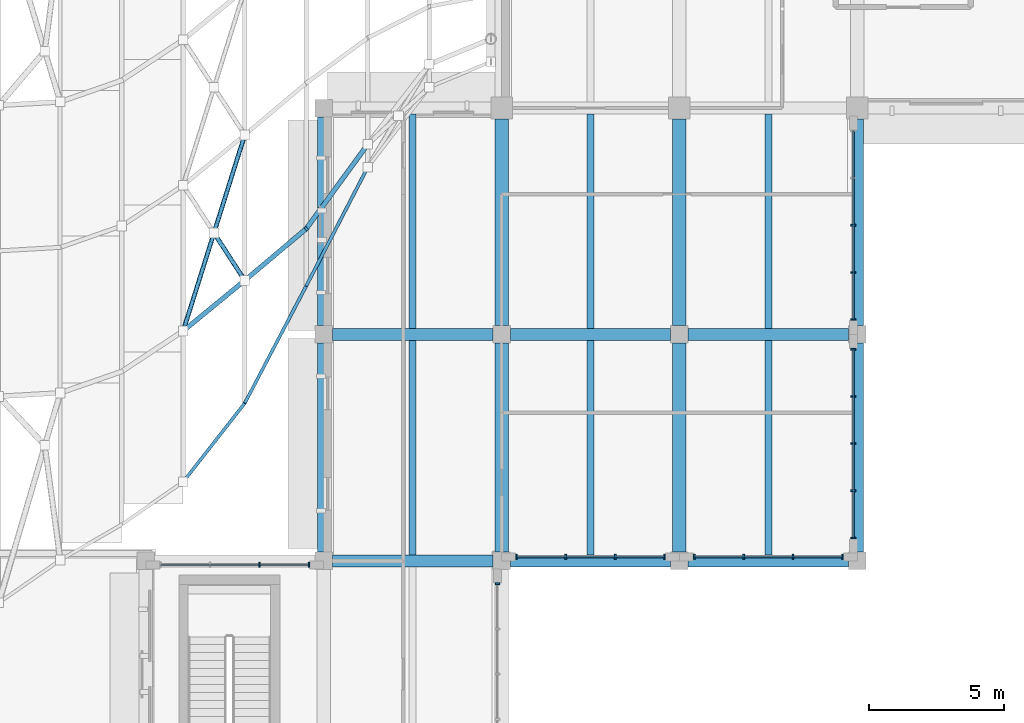
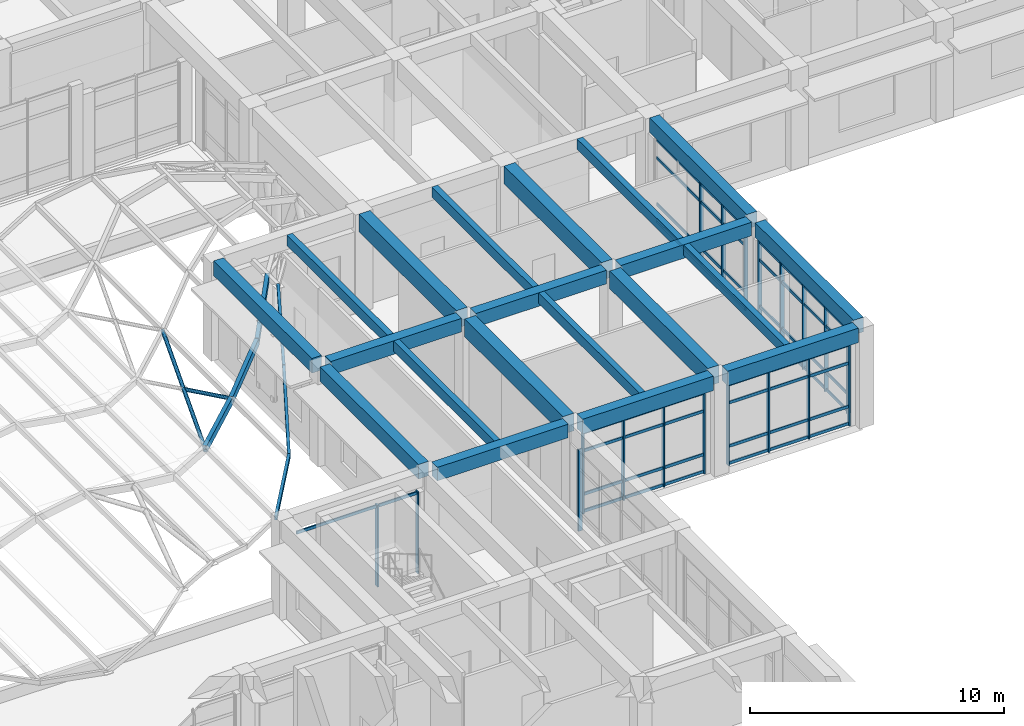
# One storey, part 26 of 79: 44 members, 20 beams, 6 elements without a shape of their own.
"""IFC4 building model written with IfcOpenShell, lengths in metres."""

from ifc_helpers import new_model, si_unit, direction, frame, origin, origin_2d, place, context, subcontext, project, spatial, rectangle, hollow_rectangle, hollow_circle, extrude, material, layer, layer_set, material_profile, profile_set, type_object, element, aggregate, save


model = new_model("IFC4")

# Units and contexts
model_context = context("Model", 3, precision=1e-05, world=origin(), true_north=direction((0.0, 1.0)))
body_context = subcontext(model_context, "Body", "Model", "MODEL_VIEW")
ifc_project = project(units=[si_unit("LENGTHUNIT", "METRE"), si_unit("AREAUNIT", "SQUARE_METRE"), si_unit("VOLUMEUNIT", "CUBIC_METRE"), si_unit("PLANEANGLEUNIT", "RADIAN"), si_unit("MASSUNIT", "GRAM", prefix="KILO")], contexts=[model_context])

# Site, building, storey
site_placement = place(None, origin())
site = spatial("IfcSite", under=ifc_project, at=site_placement, CompositionType="ELEMENT")
building_placement = place(site_placement, origin())
building = spatial("IfcBuilding", under=site, at=building_placement, Name="Kolvaren Faculty of Natural Sciences", CompositionType="ELEMENT")
storey_placement = place(building_placement, frame((0.0, 0.0, 10.199951171875)))
storey = spatial("IfcBuildingStorey", under=building, at=storey_placement, Name="L02", CompositionType="ELEMENT", Elevation=10.199951171875)

# Members
ifc_material_1 = material(Name="Structural steel EN 10210-1 S355J2H (white architectural finish)", Category="steel")
ifc_material_profile_1 = material_profile(ifc_material_1, hollow_circle(Radius=0.084228515625, WallThickness=0.008056640625, at=origin_2d()), Name="CHS 168.3x8")
ifc_profile_set_1 = profile_set([ifc_material_profile_1], Name="Structural steel EN 10210-1 S355J2H (white architectural finish)")
member_type_1 = type_object("IfcMemberType", Name="CanopyGridCrossBrace_CHS168", PredefinedType="BRACE", material=ifc_profile_set_1)
member_1_placement = place(storey_placement, frame((126.990966796875, 50.73046875, 2.375732421875), z_axis=(0.298869862247, 0.952571737279, 0.057305242151), x_axis=(-0.954139670801, 0.299361802179, 0.0)))
element("IfcMember", 1, at=member_1_placement, inside=storey, type_object=member_type_1, Name="Canopy X-brace continuous diagonal S2-40-A", PredefinedType="BRACE", context=body_context, shape_type="SweptSolid", body=[
    extrude(hollow_circle(Radius=0.084228515625, WallThickness=0.008056640625, at=origin_2d()), origin(), (0.0, 0.0, 1.0), 7.634521484375),
])
member_2_placement = place(storey_placement, frame((128.1318359375, 54.36669921875, 2.594482421875), z_axis=(0.540218864195, -0.835125417278, 0.103581447104), x_axis=(0.839641871938, 0.543140430173, 0.0)))
element("IfcMember", 2, at=member_2_placement, inside=storey, type_object=member_type_1, Name="Canopy X-brace split diagonal S2-40-B2", PredefinedType="BRACE", context=body_context, shape_type="SweptSolid", body=[
    extrude(hollow_circle(Radius=0.084228515625, WallThickness=0.008056640625, at=origin_2d()), origin(), (0.0, 0.0, 1.0), 2.11181640625),
])
ifc_material_profile_2 = material_profile(ifc_material_1, hollow_rectangle(XDim=0.175048828125, YDim=0.35009765625, WallThickness=0.012451171875, at=origin_2d()), Name="RHS 350x175x12.5")
ifc_profile_set_2 = profile_set([ifc_material_profile_2], Name="Structural steel EN 10210-1 S355J2H (white architectural finish)")
member_type_2 = type_object("IfcMemberType", Name="CanopySpineChord_RHS350", PredefinedType="PURLIN", material=ifc_profile_set_2)
member_3_placement = place(storey_placement, frame((126.990966796875, 50.73046875, 2.32568359375), z_axis=(0.764659510784, 0.627534608144, 0.146615647692), x_axis=(-0.634390122101, 0.77301304839, 0.0)))
element("IfcMember", 3, at=member_3_placement, inside=storey, type_object=member_type_2, Name="Covered street wave canopy s-spine chord 40", PredefinedType="PURLIN", context=body_context, shape_type="SweptSolid", body=[
    extrude(hollow_rectangle(XDim=0.175048828125, YDim=0.35009765625, WallThickness=0.012451171875, at=origin_2d()), origin(), (0.0, 0.0, 1.0), 2.98388671875),
])
member_4_placement = place(storey_placement, frame((129.272705078125, 52.60302734375, 2.76318359375), z_axis=(0.736896245368, 0.620203923183, 0.268944264172), x_axis=(-0.643929009953, 0.765085243709, 0.0)))
element("IfcMember", 4, at=member_4_placement, inside=storey, type_object=member_type_2, Name="Covered street wave canopy s-spine chord 41", PredefinedType="PURLIN", context=body_context, shape_type="SweptSolid", body=[
    extrude(hollow_rectangle(XDim=0.175048828125, YDim=0.35009765625, WallThickness=0.012451171875, at=origin_2d()), origin(), (0.0, 0.0, 1.0), 3.096435546875),
])
member_5_placement = place(storey_placement, frame((131.554443359375, 54.5234375, 3.595947265625), z_axis=(0.585558827361, 0.803130861962, 0.110007628206), x_axis=(-0.808035034309, 0.589134435701, 0.0)))
element("IfcMember", 5, at=member_5_placement, inside=storey, type_object=member_type_2, Name="Covered street wave canopy s-spine chord 42", PredefinedType="PURLIN", context=body_context, shape_type="SweptSolid", body=[
    extrude(hollow_rectangle(XDim=0.175048828125, YDim=0.35009765625, WallThickness=0.012451171875, at=origin_2d()), origin(), (0.0, 0.0, 1.0), 3.897216796875),
])
ifc_material_profile_3 = material_profile(ifc_material_1, hollow_rectangle(XDim=0.1201171875, YDim=0.219970703125, WallThickness=0.008056640625, at=origin_2d()), Name="RHS 220x120x8")
ifc_profile_set_3 = profile_set([ifc_material_profile_3], Name="Structural steel EN 10210-1 S355J2H (white architectural finish)")
member_type_3 = type_object("IfcMemberType", Name="CanopyWaveEdgeChord_RHS220", PredefinedType="RAFTER", material=ifc_profile_set_3)
member_6_placement = place(storey_placement, frame((126.990966796875, 45.134521484375, 2.390869140625), z_axis=(0.612308678122, 0.781863017837, 0.117338416704), x_axis=(-0.787301707746, 0.616567937036, 0.0)))
element("IfcMember", 6, at=member_6_placement, inside=storey, type_object=member_type_3, Name="Covered street wave canopy s-wave chord 40", PredefinedType="RAFTER", context=body_context, shape_type="SweptSolid", body=[
    extrude(hollow_rectangle(XDim=0.1201171875, YDim=0.219970703125, WallThickness=0.008056640625, at=origin_2d()), origin(), (0.0, 0.0, 1.0), 3.7265625),
])
member_7_placement = place(storey_placement, frame((129.272705078125, 48.048095703125, 2.828125), z_axis=(0.457653082325, 0.873291790091, 0.167078142189), x_axis=(-0.885742084814, 0.464177723711, 0.0)))
element("IfcMember", 7, at=member_7_placement, inside=storey, type_object=member_type_3, Name="Covered street wave canopy s-wave chord 41", PredefinedType="RAFTER", context=body_context, shape_type="SweptSolid", body=[
    extrude(hollow_rectangle(XDim=0.1201171875, YDim=0.219970703125, WallThickness=0.008056640625, at=origin_2d()), origin(), (0.0, 0.0, 1.0), 4.98583984375),
])
member_8_placement = place(storey_placement, frame((131.554443359375, 52.402099609375, 3.6611328125), z_axis=(0.458572807815, 0.884471015224, 0.086151048521), x_axis=(-0.887771673085, 0.460284104079, 0.0)))
element("IfcMember", 8, at=member_8_placement, inside=storey, type_object=member_type_3, Name="Covered street wave canopy s-wave chord 42", PredefinedType="RAFTER", context=body_context, shape_type="SweptSolid", body=[
    extrude(hollow_rectangle(XDim=0.1201171875, YDim=0.219970703125, WallThickness=0.008056640625, at=origin_2d()), origin(), (0.0, 0.0, 1.0), 4.976318359375),
])

# Curtain wall, members
ifc_material_2 = material(Name="Thermally broken anodised aluminium framing", Category="aluminium")
ifc_layer_1 = layer(ifc_material_2, 0.179931640625)
ifc_layer_set_1 = layer_set([ifc_layer_1], Name="Thermally broken anodised aluminium framing")
curtain_wall_type_1 = type_object("IfcCurtainWallType", Name="CommonsCurtainWall_CW02", PredefinedType="NOTDEFINED", material=ifc_layer_set_1)
curtain_wall_1_placement = place(storey_placement, origin())
curtain_wall_1 = element("IfcCurtainWall", 9, at=curtain_wall_1_placement, inside=storey, type_object=curtain_wall_type_1, Name="L02 unitised curtain wall CW-02 (CW-L02-083)", PredefinedType="NOTDEFINED")
ifc_material_profile_4 = material_profile(ifc_material_2, rectangle(XDim=0.06005859375, YDim=0.179931640625, at=origin_2d()), Name="ALU MUL 60x180")
ifc_profile_set_4 = profile_set([ifc_material_profile_4], Name="Thermally broken anodised aluminium framing")
member_type_4 = type_object("IfcMemberType", Name="CurtainMullion_60x180", PredefinedType="MULLION", material=ifc_profile_set_4)
member_9_placement = place(storey_placement, frame((129.816650390625, 42.050048828125, 0.0), z_axis=(0.0, 0.0, 1.0), x_axis=(1.0, 0.0, 0.0)))
member_9 = element("IfcMember", 10, at=member_9_placement, type_object=member_type_4, Name="CW-L02-083 vertical mullion 3", PredefinedType="MULLION", context=body_context, shape_type="SweptSolid", body=[
    extrude(rectangle(XDim=0.06005859375, YDim=0.179931640625, at=origin_2d()), origin(), (0.0, 0.0, 1.0), 3.93505859375),
])
member_10_placement = place(storey_placement, frame((131.64990234375, 42.050048828125, 0.0), z_axis=(0.0, 0.0, 1.0), x_axis=(1.0, 0.0, 0.0)))
member_10 = element("IfcMember", 11, at=member_10_placement, type_object=member_type_4, Name="CW-L02-083 vertical mullion 4", PredefinedType="MULLION", context=body_context, shape_type="SweptSolid", body=[
    extrude(rectangle(XDim=0.06005859375, YDim=0.179931640625, at=origin_2d()), origin(), (0.0, 0.0, 1.0), 3.93505859375),
])

ifc_layer_2 = layer(ifc_material_2, 0.179931640625)
ifc_layer_set_2 = layer_set([ifc_layer_2], Name="Thermally broken anodised aluminium framing")
curtain_wall_type_2 = type_object("IfcCurtainWallType", Name="TowerNorthCurtainWall_CW03", PredefinedType="NOTDEFINED", material=ifc_layer_set_2)
curtain_wall_2_placement = place(storey_placement, origin())
curtain_wall_2 = element("IfcCurtainWall", 12, at=curtain_wall_2_placement, inside=storey, type_object=curtain_wall_type_2, Name="L02 unitised curtain wall CW-03 (CW-L02-104)", PredefinedType="NOTDEFINED")
member_11_placement = place(storey_placement, frame((151.85009765625, 54.64990234375, 0.0), z_axis=(0.0, 0.0, 1.0), x_axis=(0.0, -1.0, 0.0)))
member_11 = element("IfcMember", 13, at=member_11_placement, type_object=member_type_4, Name="CW-L02-104 vertical mullion 3", PredefinedType="MULLION", context=body_context, shape_type="SweptSolid", body=[
    extrude(rectangle(XDim=0.06005859375, YDim=0.179931640625, at=origin_2d()), origin(), (0.0, 0.0, 1.0), 4.0849609375),
])
member_12_placement = place(storey_placement, frame((151.85009765625, 52.89990234375, 0.0), z_axis=(0.0, 0.0, 1.0), x_axis=(0.0, -1.0, 0.0)))
member_12 = element("IfcMember", 14, at=member_12_placement, type_object=member_type_4, Name="CW-L02-104 vertical mullion 4", PredefinedType="MULLION", context=body_context, shape_type="SweptSolid", body=[
    extrude(rectangle(XDim=0.06005859375, YDim=0.179931640625, at=origin_2d()), origin(), (0.0, 0.0, 1.0), 4.0849609375),
])
member_13_placement = place(storey_placement, frame((151.85009765625, 51.14990234375, 0.0), z_axis=(0.0, 0.0, 1.0), x_axis=(0.0, -1.0, 0.0)))
member_13 = element("IfcMember", 15, at=member_13_placement, type_object=member_type_4, Name="CW-L02-104 vertical mullion 5", PredefinedType="MULLION", context=body_context, shape_type="SweptSolid", body=[
    extrude(rectangle(XDim=0.06005859375, YDim=0.179931640625, at=origin_2d()), origin(), (0.0, 0.0, 1.0), 4.0849609375),
])

curtain_wall_3_placement = place(storey_placement, origin())
curtain_wall_3 = element("IfcCurtainWall", 16, at=curtain_wall_3_placement, inside=storey, type_object=curtain_wall_type_2, Name="L02 unitised curtain wall CW-03 (CW-L02-105)", PredefinedType="NOTDEFINED")
member_14_placement = place(storey_placement, frame((151.85009765625, 50.050048828125, 0.0), z_axis=(0.0, 0.0, 1.0), x_axis=(0.0, -1.0, 0.0)))
member_14 = element("IfcMember", 17, at=member_14_placement, type_object=member_type_4, Name="CW-L02-105 vertical mullion 1", PredefinedType="MULLION", context=body_context, shape_type="SweptSolid", body=[
    extrude(rectangle(XDim=0.06005859375, YDim=0.179931640625, at=origin_2d()), origin(), (0.0, 0.0, 1.0), 4.0849609375),
])
member_15_placement = place(storey_placement, frame((151.85009765625, 48.300048828125, 0.0), z_axis=(0.0, 0.0, 1.0), x_axis=(0.0, -1.0, 0.0)))
member_15 = element("IfcMember", 18, at=member_15_placement, type_object=member_type_4, Name="CW-L02-105 vertical mullion 2", PredefinedType="MULLION", context=body_context, shape_type="SweptSolid", body=[
    extrude(rectangle(XDim=0.06005859375, YDim=0.179931640625, at=origin_2d()), origin(), (0.0, 0.0, 1.0), 4.0849609375),
])
member_16_placement = place(storey_placement, frame((151.85009765625, 46.550048828125, 0.0), z_axis=(0.0, 0.0, 1.0), x_axis=(0.0, -1.0, 0.0)))
member_16 = element("IfcMember", 19, at=member_16_placement, type_object=member_type_4, Name="CW-L02-105 vertical mullion 3", PredefinedType="MULLION", context=body_context, shape_type="SweptSolid", body=[
    extrude(rectangle(XDim=0.06005859375, YDim=0.179931640625, at=origin_2d()), origin(), (0.0, 0.0, 1.0), 4.0849609375),
])
member_17_placement = place(storey_placement, frame((151.85009765625, 44.800048828125, 0.0), z_axis=(0.0, 0.0, 1.0), x_axis=(0.0, -1.0, 0.0)))
member_17 = element("IfcMember", 20, at=member_17_placement, type_object=member_type_4, Name="CW-L02-105 vertical mullion 4", PredefinedType="MULLION", context=body_context, shape_type="SweptSolid", body=[
    extrude(rectangle(XDim=0.06005859375, YDim=0.179931640625, at=origin_2d()), origin(), (0.0, 0.0, 1.0), 4.0849609375),
])
member_18_placement = place(storey_placement, frame((151.85009765625, 43.050048828125, 0.0), z_axis=(0.0, 0.0, 1.0), x_axis=(0.0, -1.0, 0.0)))
member_18 = element("IfcMember", 21, at=member_18_placement, type_object=member_type_4, Name="CW-L02-105 vertical mullion 5", PredefinedType="MULLION", context=body_context, shape_type="SweptSolid", body=[
    extrude(rectangle(XDim=0.06005859375, YDim=0.179931640625, at=origin_2d()), origin(), (0.0, 0.0, 1.0), 4.0849609375),
])

curtain_wall_4_placement = place(storey_placement, origin())
curtain_wall_4 = element("IfcCurtainWall", 22, at=curtain_wall_4_placement, inside=storey, type_object=curtain_wall_type_1, Name="L02 unitised curtain wall CW-02 (CW-L02-106)", PredefinedType="NOTDEFINED")
member_19_placement = place(storey_placement, frame((151.449951171875, 42.35009765625, 0.0), z_axis=(0.0, 0.0, 1.0), x_axis=(-1.0, 0.0, 0.0)))
member_19 = element("IfcMember", 23, at=member_19_placement, type_object=member_type_4, Name="CW-L02-106 vertical mullion 1", PredefinedType="MULLION", context=body_context, shape_type="SweptSolid", body=[
    extrude(rectangle(XDim=0.06005859375, YDim=0.179931640625, at=origin_2d()), origin(), (0.0, 0.0, 1.0), 3.93505859375),
])
member_20_placement = place(storey_placement, frame((149.61669921875, 42.35009765625, 0.0), z_axis=(0.0, 0.0, 1.0), x_axis=(-1.0, 0.0, 0.0)))
member_20 = element("IfcMember", 24, at=member_20_placement, type_object=member_type_4, Name="CW-L02-106 vertical mullion 2", PredefinedType="MULLION", context=body_context, shape_type="SweptSolid", body=[
    extrude(rectangle(XDim=0.06005859375, YDim=0.179931640625, at=origin_2d()), origin(), (0.0, 0.0, 1.0), 3.93505859375),
])
member_21_placement = place(storey_placement, frame((147.783203125, 42.35009765625, 0.0), z_axis=(0.0, 0.0, 1.0), x_axis=(-1.0, 0.0, 0.0)))
member_21 = element("IfcMember", 25, at=member_21_placement, type_object=member_type_4, Name="CW-L02-106 vertical mullion 3", PredefinedType="MULLION", context=body_context, shape_type="SweptSolid", body=[
    extrude(rectangle(XDim=0.06005859375, YDim=0.179931640625, at=origin_2d()), origin(), (0.0, 0.0, 1.0), 3.93505859375),
])
member_22_placement = place(storey_placement, frame((145.949951171875, 42.35009765625, 0.0), z_axis=(0.0, 0.0, 1.0), x_axis=(-1.0, 0.0, 0.0)))
member_22 = element("IfcMember", 26, at=member_22_placement, type_object=member_type_4, Name="CW-L02-106 vertical mullion 4", PredefinedType="MULLION", context=body_context, shape_type="SweptSolid", body=[
    extrude(rectangle(XDim=0.06005859375, YDim=0.179931640625, at=origin_2d()), origin(), (0.0, 0.0, 1.0), 3.93505859375),
])

curtain_wall_5_placement = place(storey_placement, origin())
curtain_wall_5 = element("IfcCurtainWall", 27, at=curtain_wall_5_placement, inside=storey, type_object=curtain_wall_type_1, Name="L02 unitised curtain wall CW-02 (CW-L02-107)", PredefinedType="NOTDEFINED")
member_23_placement = place(storey_placement, frame((144.85009765625, 42.35009765625, 0.0), z_axis=(0.0, 0.0, 1.0), x_axis=(-1.0, 0.0, 0.0)))
member_23 = element("IfcMember", 28, at=member_23_placement, type_object=member_type_4, Name="CW-L02-107 vertical mullion 1", PredefinedType="MULLION", context=body_context, shape_type="SweptSolid", body=[
    extrude(rectangle(XDim=0.06005859375, YDim=0.179931640625, at=origin_2d()), origin(), (0.0, 0.0, 1.0), 3.93505859375),
])
member_24_placement = place(storey_placement, frame((143.0166015625, 42.35009765625, 0.0), z_axis=(0.0, 0.0, 1.0), x_axis=(-1.0, 0.0, 0.0)))
member_24 = element("IfcMember", 29, at=member_24_placement, type_object=member_type_4, Name="CW-L02-107 vertical mullion 2", PredefinedType="MULLION", context=body_context, shape_type="SweptSolid", body=[
    extrude(rectangle(XDim=0.06005859375, YDim=0.179931640625, at=origin_2d()), origin(), (0.0, 0.0, 1.0), 3.93505859375),
])
member_25_placement = place(storey_placement, frame((141.183349609375, 42.35009765625, 0.0), z_axis=(0.0, 0.0, 1.0), x_axis=(-1.0, 0.0, 0.0)))
member_25 = element("IfcMember", 30, at=member_25_placement, type_object=member_type_4, Name="CW-L02-107 vertical mullion 3", PredefinedType="MULLION", context=body_context, shape_type="SweptSolid", body=[
    extrude(rectangle(XDim=0.06005859375, YDim=0.179931640625, at=origin_2d()), origin(), (0.0, 0.0, 1.0), 3.93505859375),
])
member_26_placement = place(storey_placement, frame((139.35009765625, 42.35009765625, 0.0), z_axis=(0.0, 0.0, 1.0), x_axis=(-1.0, 0.0, 0.0)))
member_26 = element("IfcMember", 31, at=member_26_placement, type_object=member_type_4, Name="CW-L02-107 vertical mullion 4", PredefinedType="MULLION", context=body_context, shape_type="SweptSolid", body=[
    extrude(rectangle(XDim=0.06005859375, YDim=0.179931640625, at=origin_2d()), origin(), (0.0, 0.0, 1.0), 3.93505859375),
])

# Curtain wall, member
curtain_wall_6_placement = place(storey_placement, origin())
curtain_wall_6 = element("IfcCurtainWall", 32, at=curtain_wall_6_placement, inside=storey, type_object=curtain_wall_type_2, Name="L02 unitised curtain wall CW-03 (CW-L02-108)", PredefinedType="NOTDEFINED")
member_27_placement = place(storey_placement, frame((138.64990234375, 41.35009765625, 0.0), z_axis=(0.0, 0.0, 1.0), x_axis=(0.0, -1.0, 0.0)))
member_27 = element("IfcMember", 33, at=member_27_placement, type_object=member_type_4, Name="CW-L02-108 vertical mullion 1", PredefinedType="MULLION", context=body_context, shape_type="SweptSolid", body=[
    extrude(rectangle(XDim=0.06005859375, YDim=0.179931640625, at=origin_2d()), origin(), (0.0, 0.0, 1.0), 3.93505859375),
])
aggregate(curtain_wall_6, [member_27])

# Member
ifc_material_profile_5 = material_profile(ifc_material_2, rectangle(XDim=0.06005859375, YDim=0.139892578125, at=origin_2d()), Name="ALU TRN 60x140")
ifc_profile_set_5 = profile_set([ifc_material_profile_5], Name="Thermally broken anodised aluminium framing")
member_type_5 = type_object("IfcMemberType", Name="CurtainTransom_60x140", PredefinedType="USERDEFINED", material=ifc_profile_set_5)
member_28_placement = place(storey_placement, frame((126.14990234375, 42.050048828125, 3.85498046875), z_axis=(1.0, 0.0, 0.0), x_axis=(0.0, 1.0, 0.0)))
member_28 = element("IfcMember", 34, at=member_28_placement, type_object=member_type_5, Name="CW-L02-083 horizontal transom 4", ObjectType="TRANSOM", PredefinedType="USERDEFINED", context=body_context, shape_type="SweptSolid", body=[
    extrude(rectangle(XDim=0.06005859375, YDim=0.139892578125, at=origin_2d()), origin(), (0.0, 0.0, 1.0), 5.5),
])

aggregate(curtain_wall_1, [member_9, member_10, member_28])

member_29_placement = place(storey_placement, frame((151.85009765625, 58.14990234375, 0.080078125), z_axis=(0.0, -1.0, 0.0), x_axis=(1.0, 0.0, 0.0)))
member_29 = element("IfcMember", 35, at=member_29_placement, type_object=member_type_5, Name="CW-L02-104 horizontal transom 1", ObjectType="TRANSOM", PredefinedType="USERDEFINED", context=body_context, shape_type="SweptSolid", body=[
    extrude(rectangle(XDim=0.06005859375, YDim=0.139892578125, at=origin_2d()), origin(), (0.0, 0.0, 1.0), 7.0),
])

member_30_placement = place(storey_placement, frame((151.85009765625, 58.14990234375, 0.900146484375), z_axis=(0.0, -1.0, 0.0), x_axis=(1.0, 0.0, 0.0)))
member_30 = element("IfcMember", 36, at=member_30_placement, type_object=member_type_5, Name="CW-L02-104 horizontal transom 2", ObjectType="TRANSOM", PredefinedType="USERDEFINED", context=body_context, shape_type="SweptSolid", body=[
    extrude(rectangle(XDim=0.06005859375, YDim=0.139892578125, at=origin_2d()), origin(), (0.0, 0.0, 1.0), 7.0),
])

member_31_placement = place(storey_placement, frame((151.85009765625, 58.14990234375, 3.135009765625), z_axis=(0.0, -1.0, 0.0), x_axis=(1.0, 0.0, 0.0)))
member_31 = element("IfcMember", 37, at=member_31_placement, type_object=member_type_5, Name="CW-L02-104 horizontal transom 3", ObjectType="TRANSOM", PredefinedType="USERDEFINED", context=body_context, shape_type="SweptSolid", body=[
    extrude(rectangle(XDim=0.06005859375, YDim=0.139892578125, at=origin_2d()), origin(), (0.0, 0.0, 1.0), 7.0),
])

member_32_placement = place(storey_placement, frame((151.85009765625, 58.14990234375, 4.005126953125), z_axis=(0.0, -1.0, 0.0), x_axis=(1.0, 0.0, 0.0)))
member_32 = element("IfcMember", 38, at=member_32_placement, type_object=member_type_5, Name="CW-L02-104 horizontal transom 4", ObjectType="TRANSOM", PredefinedType="USERDEFINED", context=body_context, shape_type="SweptSolid", body=[
    extrude(rectangle(XDim=0.06005859375, YDim=0.139892578125, at=origin_2d()), origin(), (0.0, 0.0, 1.0), 7.0),
])

aggregate(curtain_wall_2, [member_11, member_12, member_13, member_29, member_30, member_31, member_32])

member_33_placement = place(storey_placement, frame((151.85009765625, 50.050048828125, 0.080078125), z_axis=(0.0, -1.0, 0.0), x_axis=(1.0, 0.0, 0.0)))
member_33 = element("IfcMember", 39, at=member_33_placement, type_object=member_type_5, Name="CW-L02-105 horizontal transom 1", ObjectType="TRANSOM", PredefinedType="USERDEFINED", context=body_context, shape_type="SweptSolid", body=[
    extrude(rectangle(XDim=0.06005859375, YDim=0.139892578125, at=origin_2d()), origin(), (0.0, 0.0, 1.0), 7.0),
])

member_34_placement = place(storey_placement, frame((151.85009765625, 50.050048828125, 0.900146484375), z_axis=(0.0, -1.0, 0.0), x_axis=(1.0, 0.0, 0.0)))
member_34 = element("IfcMember", 40, at=member_34_placement, type_object=member_type_5, Name="CW-L02-105 horizontal transom 2", ObjectType="TRANSOM", PredefinedType="USERDEFINED", context=body_context, shape_type="SweptSolid", body=[
    extrude(rectangle(XDim=0.06005859375, YDim=0.139892578125, at=origin_2d()), origin(), (0.0, 0.0, 1.0), 7.0),
])

member_35_placement = place(storey_placement, frame((151.85009765625, 50.050048828125, 3.135009765625), z_axis=(0.0, -1.0, 0.0), x_axis=(1.0, 0.0, 0.0)))
member_35 = element("IfcMember", 41, at=member_35_placement, type_object=member_type_5, Name="CW-L02-105 horizontal transom 3", ObjectType="TRANSOM", PredefinedType="USERDEFINED", context=body_context, shape_type="SweptSolid", body=[
    extrude(rectangle(XDim=0.06005859375, YDim=0.139892578125, at=origin_2d()), origin(), (0.0, 0.0, 1.0), 7.0),
])

member_36_placement = place(storey_placement, frame((151.85009765625, 50.050048828125, 4.005126953125), z_axis=(0.0, -1.0, 0.0), x_axis=(1.0, 0.0, 0.0)))
member_36 = element("IfcMember", 42, at=member_36_placement, type_object=member_type_5, Name="CW-L02-105 horizontal transom 4", ObjectType="TRANSOM", PredefinedType="USERDEFINED", context=body_context, shape_type="SweptSolid", body=[
    extrude(rectangle(XDim=0.06005859375, YDim=0.139892578125, at=origin_2d()), origin(), (0.0, 0.0, 1.0), 7.0),
])

aggregate(curtain_wall_3, [member_14, member_15, member_16, member_17, member_18, member_33, member_34, member_35, member_36])

member_37_placement = place(storey_placement, frame((151.449951171875, 42.35009765625, 0.080078125), z_axis=(-1.0, 0.0, 0.0), x_axis=(0.0, -1.0, 0.0)))
member_37 = element("IfcMember", 43, at=member_37_placement, type_object=member_type_5, Name="CW-L02-106 horizontal transom 1", ObjectType="TRANSOM", PredefinedType="USERDEFINED", context=body_context, shape_type="SweptSolid", body=[
    extrude(rectangle(XDim=0.06005859375, YDim=0.139892578125, at=origin_2d()), origin(), (0.0, 0.0, 1.0), 5.5),
])

member_38_placement = place(storey_placement, frame((151.449951171875, 42.35009765625, 0.900146484375), z_axis=(-1.0, 0.0, 0.0), x_axis=(0.0, -1.0, 0.0)))
member_38 = element("IfcMember", 44, at=member_38_placement, type_object=member_type_5, Name="CW-L02-106 horizontal transom 2", ObjectType="TRANSOM", PredefinedType="USERDEFINED", context=body_context, shape_type="SweptSolid", body=[
    extrude(rectangle(XDim=0.06005859375, YDim=0.139892578125, at=origin_2d()), origin(), (0.0, 0.0, 1.0), 5.5),
])

member_39_placement = place(storey_placement, frame((151.449951171875, 42.35009765625, 2.985107421875), z_axis=(-1.0, 0.0, 0.0), x_axis=(0.0, -1.0, 0.0)))
member_39 = element("IfcMember", 45, at=member_39_placement, type_object=member_type_5, Name="CW-L02-106 horizontal transom 3", ObjectType="TRANSOM", PredefinedType="USERDEFINED", context=body_context, shape_type="SweptSolid", body=[
    extrude(rectangle(XDim=0.06005859375, YDim=0.139892578125, at=origin_2d()), origin(), (0.0, 0.0, 1.0), 5.5),
])

member_40_placement = place(storey_placement, frame((151.449951171875, 42.35009765625, 3.85498046875), z_axis=(-1.0, 0.0, 0.0), x_axis=(0.0, -1.0, 0.0)))
member_40 = element("IfcMember", 46, at=member_40_placement, type_object=member_type_5, Name="CW-L02-106 horizontal transom 4", ObjectType="TRANSOM", PredefinedType="USERDEFINED", context=body_context, shape_type="SweptSolid", body=[
    extrude(rectangle(XDim=0.06005859375, YDim=0.139892578125, at=origin_2d()), origin(), (0.0, 0.0, 1.0), 5.5),
])

aggregate(curtain_wall_4, [member_19, member_20, member_21, member_22, member_37, member_38, member_39, member_40])

member_41_placement = place(storey_placement, frame((144.85009765625, 42.35009765625, 0.080078125), z_axis=(-1.0, 0.0, 0.0), x_axis=(0.0, -1.0, 0.0)))
member_41 = element("IfcMember", 47, at=member_41_placement, type_object=member_type_5, Name="CW-L02-107 horizontal transom 1", ObjectType="TRANSOM", PredefinedType="USERDEFINED", context=body_context, shape_type="SweptSolid", body=[
    extrude(rectangle(XDim=0.06005859375, YDim=0.139892578125, at=origin_2d()), origin(), (0.0, 0.0, 1.0), 5.5),
])

member_42_placement = place(storey_placement, frame((144.85009765625, 42.35009765625, 0.900146484375), z_axis=(-1.0, 0.0, 0.0), x_axis=(0.0, -1.0, 0.0)))
member_42 = element("IfcMember", 48, at=member_42_placement, type_object=member_type_5, Name="CW-L02-107 horizontal transom 2", ObjectType="TRANSOM", PredefinedType="USERDEFINED", context=body_context, shape_type="SweptSolid", body=[
    extrude(rectangle(XDim=0.06005859375, YDim=0.139892578125, at=origin_2d()), origin(), (0.0, 0.0, 1.0), 5.5),
])

member_43_placement = place(storey_placement, frame((144.85009765625, 42.35009765625, 2.985107421875), z_axis=(-1.0, 0.0, 0.0), x_axis=(0.0, -1.0, 0.0)))
member_43 = element("IfcMember", 49, at=member_43_placement, type_object=member_type_5, Name="CW-L02-107 horizontal transom 3", ObjectType="TRANSOM", PredefinedType="USERDEFINED", context=body_context, shape_type="SweptSolid", body=[
    extrude(rectangle(XDim=0.06005859375, YDim=0.139892578125, at=origin_2d()), origin(), (0.0, 0.0, 1.0), 5.5),
])

member_44_placement = place(storey_placement, frame((144.85009765625, 42.35009765625, 3.85498046875), z_axis=(-1.0, 0.0, 0.0), x_axis=(0.0, -1.0, 0.0)))
member_44 = element("IfcMember", 50, at=member_44_placement, type_object=member_type_5, Name="CW-L02-107 horizontal transom 4", ObjectType="TRANSOM", PredefinedType="USERDEFINED", context=body_context, shape_type="SweptSolid", body=[
    extrude(rectangle(XDim=0.06005859375, YDim=0.139892578125, at=origin_2d()), origin(), (0.0, 0.0, 1.0), 5.5),
])

aggregate(curtain_wall_5, [member_23, member_24, member_25, member_26, member_41, member_42, member_43, member_44])

# Beams
ifc_material_3 = material(Name="Concrete C35/45", Category="concrete")
ifc_material_profile_6 = material_profile(ifc_material_3, rectangle(XDim=0.449951171875, YDim=0.64990234375, at=origin_2d()), Name="RC BM 450x650")
ifc_profile_set_6 = profile_set([ifc_material_profile_6], Name="Concrete C35/45")
beam_type_1 = type_object("IfcBeamType", Name="GridBeam_450x650", PredefinedType="BEAM", material=ifc_profile_set_6)
for number, where, z_axis, x_axis, name in (
    (51, (132.52490234375, 42.199951171875, 4.47509765625), (1.0, 0.0, 0.0), (0.0, 1.0, 0.0), "L02 beam BM-65 on grid F"),
    (52, (132.52490234375, 50.60009765625, 4.47509765625), (1.0, 0.0, 0.0), (0.0, 1.0, 0.0), "L02 beam BM-65 on grid G"),
):
    element("IfcBeam", number, at=place(storey_placement, frame(where, z_axis=z_axis, x_axis=x_axis)), inside=storey, type_object=beam_type_1, Name=name, PredefinedType="BEAM", context=body_context, shape_type="SweptSolid", body=[
        extrude(rectangle(XDim=0.449951171875, YDim=0.64990234375, at=origin_2d()), origin(), (0.0, 0.0, 1.0), 5.9501953125),
    ])
for number, where, z_axis, x_axis, name in (
    (53, (139.125, 50.60009765625, 4.47509765625), (1.0, 0.0, 0.0), (0.0, 1.0, 0.0), "L02 beam BM-65 on grid G"),
    (54, (145.72509765625, 50.60009765625, 4.47509765625), (1.0, 0.0, 0.0), (0.0, 1.0, 0.0), "L02 beam BM-65 on grid G"),
):
    element("IfcBeam", number, at=place(storey_placement, frame(where, z_axis=z_axis, x_axis=x_axis)), inside=storey, type_object=beam_type_1, Name=name, PredefinedType="BEAM", context=body_context, shape_type="SweptSolid", body=[
        extrude(rectangle(XDim=0.449951171875, YDim=0.64990234375, at=origin_2d()), origin(), (0.0, 0.0, 1.0), 5.949951171875),
    ])
ifc_material_profile_7 = material_profile(ifc_material_3, rectangle(XDim=0.260009765625, YDim=0.5, at=origin_2d()), Name="RC JST 260x500")
ifc_profile_set_7 = profile_set([ifc_material_profile_7], Name="Concrete C35/45")
beam_type_2 = type_object("IfcBeamType", Name="LabRibJoist_260x500", PredefinedType="JOIST", material=ifc_profile_set_7)
for number, where, z_axis, x_axis, name in (
    (55, (135.5, 42.425048828125, 4.550048828125), (0.0, 1.0, 0.0), (-1.0, 0.0, 0.0), "L02 ribbed laboratory slab joist JS-50"),
    (56, (135.5, 50.824951171875, 4.550048828125), (0.0, 1.0, 0.0), (-1.0, 0.0, 0.0), "L02 ribbed laboratory slab joist JS-50"),
    (57, (142.10009765625, 42.425048828125, 4.550048828125), (0.0, 1.0, 0.0), (-1.0, 0.0, 0.0), "L02 ribbed laboratory slab joist JS-50"),
    (58, (142.10009765625, 50.824951171875, 4.550048828125), (0.0, 1.0, 0.0), (-1.0, 0.0, 0.0), "L02 ribbed laboratory slab joist JS-50"),
    (59, (148.699951171875, 42.425048828125, 4.550048828125), (0.0, 1.0, 0.0), (-1.0, 0.0, 0.0), "L02 ribbed laboratory slab joist JS-50"),
    (60, (148.699951171875, 50.824951171875, 4.550048828125), (0.0, 1.0, 0.0), (-1.0, 0.0, 0.0), "L02 ribbed laboratory slab joist JS-50"),
):
    element("IfcBeam", number, at=place(storey_placement, frame(where, z_axis=z_axis, x_axis=x_axis)), inside=storey, type_object=beam_type_2, Name=name, PredefinedType="JOIST", context=body_context, shape_type="SweptSolid", body=[
        extrude(rectangle(XDim=0.260009765625, YDim=0.5, at=origin_2d()), origin(), (0.0, 0.0, 1.0), 7.949951171875),
    ])
ifc_material_profile_8 = material_profile(ifc_material_3, rectangle(XDim=0.449951171875, YDim=0.699951171875, at=origin_2d()), Name="RC SP 450x700")
ifc_profile_set_8 = profile_set([ifc_material_profile_8], Name="Concrete C35/45")
beam_type_3 = type_object("IfcBeamType", Name="PerimeterSpandrel_450x700", PredefinedType="SPANDREL", material=ifc_profile_set_8)
for number, where, z_axis, x_axis, name in (
    (61, (139.125, 42.199951171875, 4.449951171875), (1.0, 0.0, 0.0), (0.0, 1.0, 0.0), "L02 spandrel SP-70 on grid F"),
    (62, (145.72509765625, 42.199951171875, 4.449951171875), (1.0, 0.0, 0.0), (0.0, 1.0, 0.0), "L02 spandrel SP-70 on grid F"),
):
    element("IfcBeam", number, at=place(storey_placement, frame(where, z_axis=z_axis, x_axis=x_axis)), inside=storey, type_object=beam_type_3, Name=name, PredefinedType="SPANDREL", context=body_context, shape_type="SweptSolid", body=[
        extrude(rectangle(XDim=0.449951171875, YDim=0.699951171875, at=origin_2d()), origin(), (0.0, 0.0, 1.0), 5.949951171875),
    ])
for number, where, z_axis, x_axis, name in (
    (63, (132.199951171875, 42.52490234375, 4.449951171875), (0.0, 1.0, 0.0), (-1.0, 0.0, 0.0), "L02 girder SP-70 on grid 21"),
    (64, (132.199951171875, 50.925048828125, 4.449951171875), (0.0, 1.0, 0.0), (-1.0, 0.0, 0.0), "L02 girder SP-70 on grid 21"),
    (65, (152.0, 42.52490234375, 4.449951171875), (0.0, 1.0, 0.0), (-1.0, 0.0, 0.0), "L02 girder SP-70 on grid 24"),
):
    element("IfcBeam", number, at=place(storey_placement, frame(where, z_axis=z_axis, x_axis=x_axis)), inside=storey, type_object=beam_type_3, Name=name, PredefinedType="SPANDREL", context=body_context, shape_type="SweptSolid", body=[
        extrude(rectangle(XDim=0.449951171875, YDim=0.699951171875, at=origin_2d()), origin(), (0.0, 0.0, 1.0), 7.75),
    ])
beam_1_placement = place(storey_placement, frame((152.0, 50.925048828125, 4.449951171875), z_axis=(0.0, 1.0, 0.0), x_axis=(-1.0, 0.0, 0.0)))
element("IfcBeam", 66, at=beam_1_placement, inside=storey, type_object=beam_type_3, Name="L02 girder SP-70 on grid 24", PredefinedType="SPANDREL", context=body_context, shape_type="SweptSolid", body=[
    extrude(rectangle(XDim=0.449951171875, YDim=0.699951171875, at=origin_2d()), origin(), (0.0, 0.0, 1.0), 7.675048828125),
])
ifc_material_profile_9 = material_profile(ifc_material_3, rectangle(XDim=0.5, YDim=0.85009765625, at=origin_2d()), Name="RC BM 500x850")
ifc_profile_set_9 = profile_set([ifc_material_profile_9], Name="Concrete C35/45")
beam_type_4 = type_object("IfcBeamType", Name="PrimaryGirder_500x850", PredefinedType="BEAM", material=ifc_profile_set_9)
beam_2_placement = place(storey_placement, frame((138.800048828125, 42.52490234375, 4.375), z_axis=(0.0, 1.0, 0.0), x_axis=(-1.0, 0.0, 0.0)))
element("IfcBeam", 67, at=beam_2_placement, inside=storey, type_object=beam_type_4, Name="L02 girder BG-85 on grid 22", PredefinedType="BEAM", context=body_context, shape_type="SweptSolid", body=[
    extrude(rectangle(XDim=0.5, YDim=0.85009765625, at=origin_2d()), origin(), (0.0, 0.0, 1.0), 7.75),
])
beam_3_placement = place(storey_placement, frame((138.800048828125, 50.925048828125, 4.375), z_axis=(0.0, 1.0, 0.0), x_axis=(-1.0, 0.0, 0.0)))
element("IfcBeam", 68, at=beam_3_placement, inside=storey, type_object=beam_type_4, Name="L02 girder BG-85 on grid 22", PredefinedType="BEAM", context=body_context, shape_type="SweptSolid", body=[
    extrude(rectangle(XDim=0.5, YDim=0.85009765625, at=origin_2d()), origin(), (0.0, 0.0, 1.0), 7.675048828125),
])
beam_4_placement = place(storey_placement, frame((145.39990234375, 42.52490234375, 4.375), z_axis=(0.0, 1.0, 0.0), x_axis=(-1.0, 0.0, 0.0)))
element("IfcBeam", 69, at=beam_4_placement, inside=storey, type_object=beam_type_4, Name="L02 girder BG-85 on grid 23", PredefinedType="BEAM", context=body_context, shape_type="SweptSolid", body=[
    extrude(rectangle(XDim=0.5, YDim=0.85009765625, at=origin_2d()), origin(), (0.0, 0.0, 1.0), 7.75),
])
beam_5_placement = place(storey_placement, frame((145.39990234375, 50.925048828125, 4.375), z_axis=(0.0, 1.0, 0.0), x_axis=(-1.0, 0.0, 0.0)))
element("IfcBeam", 70, at=beam_5_placement, inside=storey, type_object=beam_type_4, Name="L02 girder BG-85 on grid 23", PredefinedType="BEAM", context=body_context, shape_type="SweptSolid", body=[
    extrude(rectangle(XDim=0.5, YDim=0.85009765625, at=origin_2d()), origin(), (0.0, 0.0, 1.0), 7.675048828125),
])

save(model, "model.ifc")
